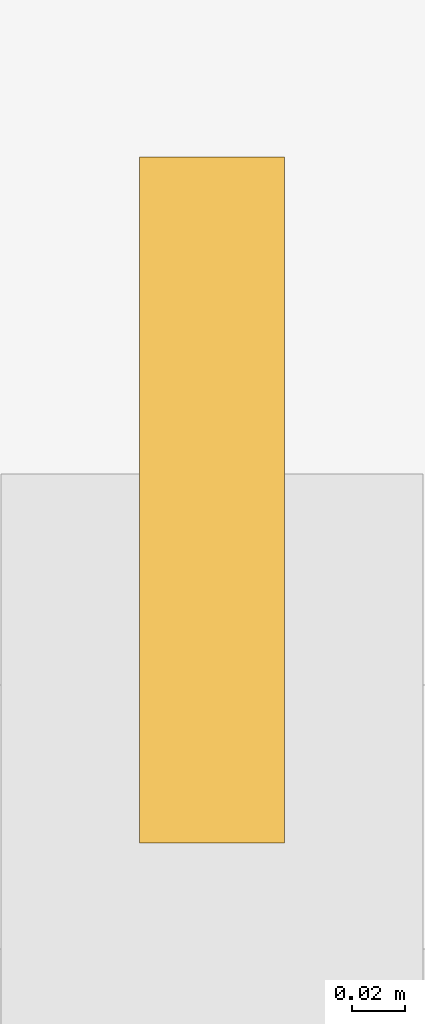
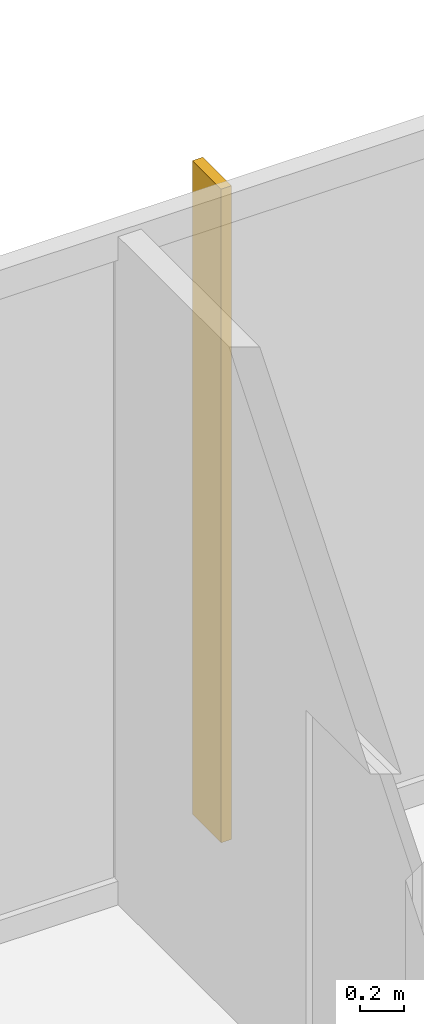
# One storey, part 29 of 29: 1 shading device.
"""IFC4 building model written with IfcOpenShell, lengths in metres."""

from ifc_helpers import new_model, si_unit, direction, frame, origin, origin_2d, place, context, subcontext, project, spatial, rectangle, extrude, material, layer, layer_set, type_object, element, save


model = new_model("IFC4")

# Units and contexts
model_context = context("Model", 3, precision=1e-05, world=origin(), true_north=direction((0.0, 1.0)))
body_context = subcontext(model_context, "Body", "Model", "MODEL_VIEW")
ifc_project = project(units=[si_unit("LENGTHUNIT", "METRE"), si_unit("AREAUNIT", "SQUARE_METRE"), si_unit("VOLUMEUNIT", "CUBIC_METRE"), si_unit("PLANEANGLEUNIT", "RADIAN"), si_unit("MASSUNIT", "GRAM", prefix="KILO")], contexts=[model_context])

# Site, building, storey
site_placement = place(None, origin())
site = spatial("IfcSite", under=ifc_project, at=site_placement, CompositionType="ELEMENT")
building_placement = place(site_placement, origin())
building = spatial("IfcBuilding", under=site, at=building_placement, Name="Khorvyn Point Tower", CompositionType="ELEMENT")
storey_placement = place(building_placement, frame((0.0, 0.0, 144.60009765625)))
storey = spatial("IfcBuildingStorey", under=building, at=storey_placement, Name="L36", CompositionType="ELEMENT", Elevation=144.60009765625)

# Shading device
ifc_material = material(Name="Pale anodised aluminium 6063-T6", Category="aluminium")
ifc_layer = layer(ifc_material, 0.054931640625)
ifc_layer_set = layer_set([ifc_layer], Name="Pale Anodised Aluminium FIN 260x55")
shading_device_type = type_object("IfcShadingDeviceType", Name="Pale Anodised Aluminium FIN 260x55", PredefinedType="USERDEFINED", material=ifc_layer_set)
shading_device_placement = place(storey_placement, frame((13.450927734375, 23.8701171875, 0.039794921875), z_axis=(0.0, 0.0, 1.0), x_axis=(0.0, 1.0, 0.0)))
element("IfcShadingDevice", 1, at=shading_device_placement, inside=storey, type_object=shading_device_type, Name="L36 Anodised FIN 01", ObjectType="FIN", PredefinedType="USERDEFINED", context=body_context, shape_type="SweptSolid", body=[
    extrude(rectangle(XDim=0.260009765625, YDim=0.054931640625, at=origin_2d()), origin(), (0.0, 0.0, 1.0), 3.60009765625),
])

save(model, "model.ifc")
